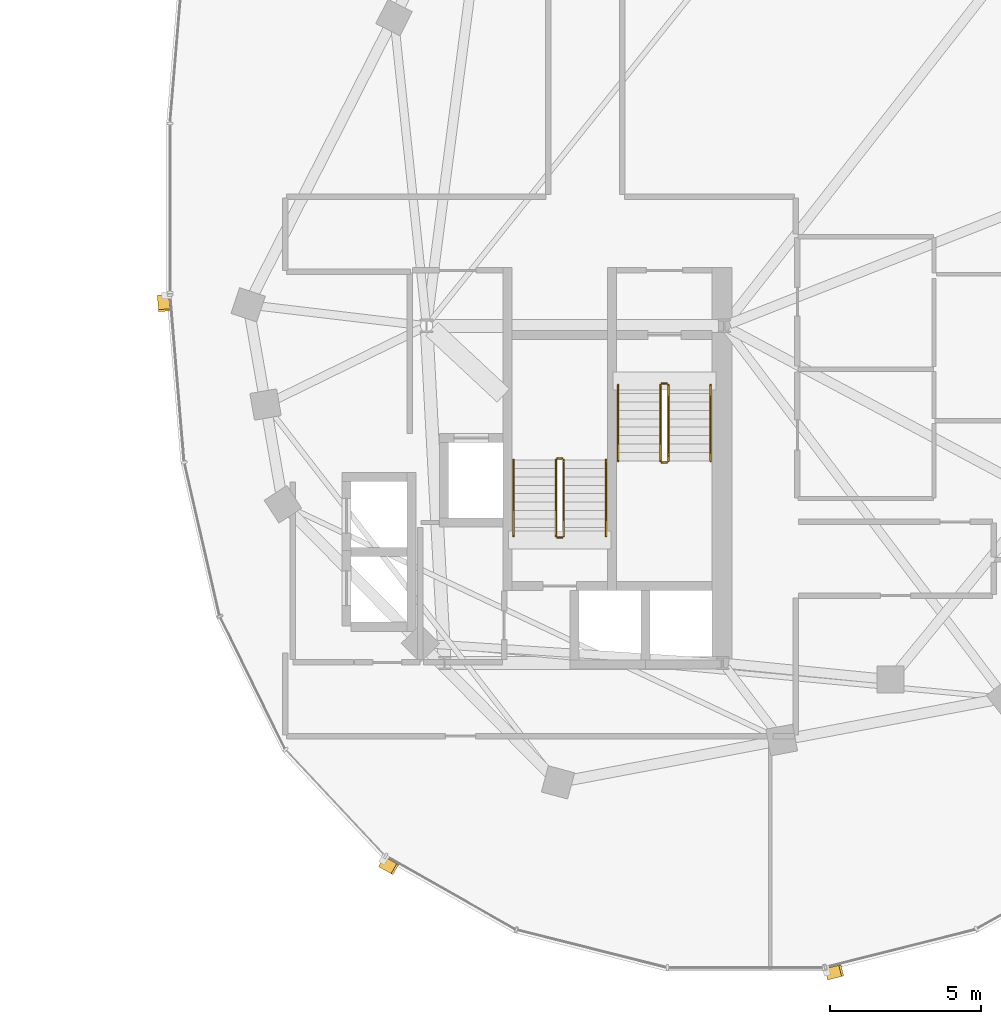
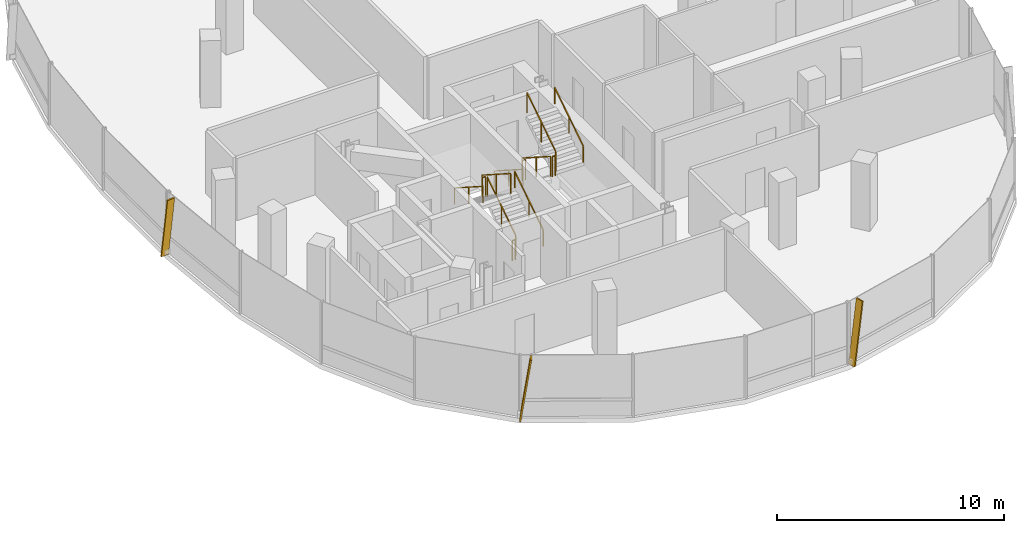
# One storey, part 24 of 25: 12 railings, 3 shading devices.
"""IFC4 building model written with IfcOpenShell, lengths in metres."""

from ifc_helpers import new_model, si_unit, direction, frame, origin, origin_2d, place, context, subcontext, project, spatial, rectangle, extrude, material, material_profile, profile_set, type_object, element, save


model = new_model("IFC4")

# Units and contexts
model_context = context("Model", 3, precision=1e-05, world=origin(), true_north=direction((0.0, 1.0)))
body_context = subcontext(model_context, "Body", "Model", "MODEL_VIEW")
ifc_project = project(units=[si_unit("LENGTHUNIT", "METRE"), si_unit("AREAUNIT", "SQUARE_METRE"), si_unit("VOLUMEUNIT", "CUBIC_METRE"), si_unit("PLANEANGLEUNIT", "RADIAN"), si_unit("MASSUNIT", "GRAM", prefix="KILO"), si_unit("THERMODYNAMICTEMPERATUREUNIT", "KELVIN"), si_unit("POWERUNIT", "WATT")], contexts=[model_context])

# Site, building, storey
site_placement = place(None, origin())
site = spatial("IfcSite", under=ifc_project, at=site_placement, CompositionType="ELEMENT")
building_placement = place(site_placement, origin())
building = spatial("IfcBuilding", under=site, at=building_placement, Name="Cundina Bronze Exchange", CompositionType="ELEMENT")
storey_placement = place(building_placement, frame((0.0, 0.0, 199.0)))
storey = spatial("IfcBuildingStorey", under=building, at=storey_placement, Name="L52", CompositionType="ELEMENT", Elevation=199.0)

# Railings
ifc_material_1 = material(Name="Steel ASTM A36 Painted", Category="steel")
railing_type_1 = type_object("IfcRailingType", Name="RLG-HND-900", PredefinedType="HANDRAIL", material=ifc_material_1)
railing_1_placement = place(storey_placement, frame((27.7900390625, -5.85009765625, 0.179931640625)))
element("IfcRailing", 1, at=railing_1_placement, inside=storey, type_object=railing_type_1, Name="L52 ST-E1 stair handrail 1", PredefinedType="HANDRAIL", context=body_context, shape_type="SweptSolid", body=[
    extrude(rectangle(XDim=0.048095703125, YDim=0.048095703125, at=origin_2d()), frame((0.0, 0.0, 0.8759765625), z_axis=(0.0, -0.841162588446, 0.540782303519), x_axis=(1.0, 0.0, 0.0)), (0.0, 0.0, 1.0), 2.995849609375),
    extrude(rectangle(XDim=0.0419921875, YDim=0.0419921875, at=origin_2d()), origin(), (0.0, 0.0, 1.0), 0.851806640625),
    extrude(rectangle(XDim=0.0419921875, YDim=0.0419921875, at=origin_2d()), frame((0.0, -1.260009765625, 0.81005859375)), (0.0, 0.0, 1.0), 0.851806640625),
    extrude(rectangle(XDim=0.0419921875, YDim=0.0419921875, at=origin_2d()), frame((0.0, -2.52001953125, 1.6201171875)), (0.0, 0.0, 1.0), 0.851806640625),
])
for number, where, name in (
    (2, (30.85009765625, -8.3701171875, 1.97998046875), "L52 ST-E1 stair handrail 2"),
    (3, (27.389892578125, -10.85009765625, 0.179931640625), "L52 ST-E2 stair handrail 1"),
):
    element("IfcRailing", number, at=place(storey_placement, frame(where)), inside=storey, type_object=railing_type_1, Name=name, PredefinedType="HANDRAIL", context=body_context, shape_type="SweptSolid", body=[
        extrude(rectangle(XDim=0.048095703125, YDim=0.048095703125, at=origin_2d()), frame((0.0, 0.0, 0.8759765625), z_axis=(0.0, 0.841162588446, 0.540782303519), x_axis=(-1.0, 0.0, 0.0)), (0.0, 0.0, 1.0), 2.995849609375),
        extrude(rectangle(XDim=0.0419921875, YDim=0.0419921875, at=origin_2d()), origin(), (0.0, 0.0, 1.0), 0.851806640625),
        extrude(rectangle(XDim=0.0419921875, YDim=0.0419921875, at=origin_2d()), frame((0.0, 1.260009765625, 0.81005859375)), (0.0, 0.0, 1.0), 0.851806640625),
        extrude(rectangle(XDim=0.0419921875, YDim=0.0419921875, at=origin_2d()), frame((0.0, 2.52001953125, 1.6201171875)), (0.0, 0.0, 1.0), 0.851806640625),
    ])
railing_2_placement = place(storey_placement, frame((24.330078125, -8.330078125, 1.97998046875)))
element("IfcRailing", 4, at=railing_2_placement, inside=storey, type_object=railing_type_1, Name="L52 ST-E2 stair handrail 2", PredefinedType="HANDRAIL", context=body_context, shape_type="SweptSolid", body=[
    extrude(rectangle(XDim=0.048095703125, YDim=0.048095703125, at=origin_2d()), frame((0.0, 0.0, 0.8759765625), z_axis=(0.0, -0.841162588446, 0.540782303519), x_axis=(1.0, 0.0, 0.0)), (0.0, 0.0, 1.0), 2.995849609375),
    extrude(rectangle(XDim=0.0419921875, YDim=0.0419921875, at=origin_2d()), origin(), (0.0, 0.0, 1.0), 0.851806640625),
    extrude(rectangle(XDim=0.0419921875, YDim=0.0419921875, at=origin_2d()), frame((0.0, -1.260009765625, 0.81005859375)), (0.0, 0.0, 1.0), 0.851806640625),
    extrude(rectangle(XDim=0.0419921875, YDim=0.0419921875, at=origin_2d()), frame((0.0, -2.52001953125, 1.6201171875)), (0.0, 0.0, 1.0), 0.851806640625),
])
railing_type_2 = type_object("IfcRailingType", Name="RLG-STG-1100", PredefinedType="GUARDRAIL", material=ifc_material_1)
railing_3_placement = place(storey_placement, frame((29.18994140625, -5.85009765625, 0.179931640625)))
element("IfcRailing", 5, at=railing_3_placement, inside=storey, type_object=railing_type_2, Name="L52 ST-E1 stair guard 1", PredefinedType="GUARDRAIL", context=body_context, shape_type="SweptSolid", body=[
    extrude(rectangle(XDim=0.048095703125, YDim=0.048095703125, at=origin_2d()), frame((0.0, 0.0, 1.076171875), z_axis=(0.0, -0.841162588446, 0.540782303519), x_axis=(1.0, 0.0, 0.0)), (0.0, 0.0, 1.0), 2.995849609375),
    extrude(rectangle(XDim=0.0419921875, YDim=0.0419921875, at=origin_2d()), origin(), (0.0, 0.0, 1.0), 1.052001953125),
    extrude(rectangle(XDim=0.0419921875, YDim=0.0419921875, at=origin_2d()), frame((0.0, -1.260009765625, 0.81005859375)), (0.0, 0.0, 1.0), 1.052001953125),
    extrude(rectangle(XDim=0.0419921875, YDim=0.0419921875, at=origin_2d()), frame((0.0, -2.52001953125, 1.6201171875)), (0.0, 0.0, 1.0), 1.052001953125),
])
railing_4_placement = place(storey_placement, frame((29.239990234375, -8.419921875, 1.800048828125)))
element("IfcRailing", 6, at=railing_4_placement, inside=storey, type_object=railing_type_2, Name="L52 ST-E1 stair guard 2", PredefinedType="GUARDRAIL", context=body_context, shape_type="SweptSolid", body=[
    extrude(rectangle(XDim=0.048095703125, YDim=0.048095703125, at=origin_2d()), frame((0.0, 0.0, 1.076171875), z_axis=(1.0, 0.0, 0.0), x_axis=(0.0, 1.0, 0.0)), (0.0, 0.0, 1.0), 0.159912109375),
    extrude(rectangle(XDim=0.0419921875, YDim=0.0419921875, at=origin_2d()), origin(), (0.0, 0.0, 1.0), 1.052001953125),
    extrude(rectangle(XDim=0.0419921875, YDim=0.0419921875, at=origin_2d()), frame((0.159912109375, 0.0, 0.0)), (0.0, 0.0, 1.0), 1.052001953125),
])
railing_5_placement = place(storey_placement, frame((29.449951171875, -8.3701171875, 1.97998046875)))
element("IfcRailing", 7, at=railing_5_placement, inside=storey, type_object=railing_type_2, Name="L52 ST-E1 stair guard 3", PredefinedType="GUARDRAIL", context=body_context, shape_type="SweptSolid", body=[
    extrude(rectangle(XDim=0.048095703125, YDim=0.048095703125, at=origin_2d()), frame((0.0, 0.0, 1.076171875), z_axis=(0.0, 0.841162588446, 0.540782303519), x_axis=(-1.0, 0.0, 0.0)), (0.0, 0.0, 1.0), 2.995849609375),
    extrude(rectangle(XDim=0.0419921875, YDim=0.0419921875, at=origin_2d()), origin(), (0.0, 0.0, 1.0), 1.052001953125),
    extrude(rectangle(XDim=0.0419921875, YDim=0.0419921875, at=origin_2d()), frame((0.0, 1.260009765625, 0.81005859375)), (0.0, 0.0, 1.0), 1.052001953125),
    extrude(rectangle(XDim=0.0419921875, YDim=0.0419921875, at=origin_2d()), frame((0.0, 2.52001953125, 1.6201171875)), (0.0, 0.0, 1.0), 1.052001953125),
])
railing_6_placement = place(storey_placement, frame((29.239990234375, -5.800048828125, 0.0)))
element("IfcRailing", 8, at=railing_6_placement, inside=storey, type_object=railing_type_2, Name="L52 ST-E1 stair guard 4", PredefinedType="GUARDRAIL", context=body_context, shape_type="SweptSolid", body=[
    extrude(rectangle(XDim=0.048095703125, YDim=0.048095703125, at=origin_2d()), frame((0.0, 0.0, 1.076171875), z_axis=(1.0, 0.0, 0.0), x_axis=(0.0, 1.0, 0.0)), (0.0, 0.0, 1.0), 0.159912109375),
    extrude(rectangle(XDim=0.0419921875, YDim=0.0419921875, at=origin_2d()), origin(), (0.0, 0.0, 1.0), 1.052001953125),
    extrude(rectangle(XDim=0.0419921875, YDim=0.0419921875, at=origin_2d()), frame((0.159912109375, 0.0, 0.0)), (0.0, 0.0, 1.0), 1.052001953125),
])
railing_7_placement = place(storey_placement, frame((25.989990234375, -10.85009765625, 0.179931640625)))
element("IfcRailing", 9, at=railing_7_placement, inside=storey, type_object=railing_type_2, Name="L52 ST-E2 stair guard 1", PredefinedType="GUARDRAIL", context=body_context, shape_type="SweptSolid", body=[
    extrude(rectangle(XDim=0.048095703125, YDim=0.048095703125, at=origin_2d()), frame((0.0, 0.0, 1.076171875), z_axis=(0.0, 0.841162588446, 0.540782303519), x_axis=(-1.0, 0.0, 0.0)), (0.0, 0.0, 1.0), 2.995849609375),
    extrude(rectangle(XDim=0.0419921875, YDim=0.0419921875, at=origin_2d()), origin(), (0.0, 0.0, 1.0), 1.052001953125),
    extrude(rectangle(XDim=0.0419921875, YDim=0.0419921875, at=origin_2d()), frame((0.0, 1.260009765625, 0.81005859375)), (0.0, 0.0, 1.0), 1.052001953125),
    extrude(rectangle(XDim=0.0419921875, YDim=0.0419921875, at=origin_2d()), frame((0.0, 2.52001953125, 1.6201171875)), (0.0, 0.0, 1.0), 1.052001953125),
])
railing_8_placement = place(storey_placement, frame((25.93994140625, -8.280029296875, 1.800048828125)))
element("IfcRailing", 10, at=railing_8_placement, inside=storey, type_object=railing_type_2, Name="L52 ST-E2 stair guard 2", PredefinedType="GUARDRAIL", context=body_context, shape_type="SweptSolid", body=[
    extrude(rectangle(XDim=0.048095703125, YDim=0.048095703125, at=origin_2d()), frame((0.0, 0.0, 1.076171875), z_axis=(-1.0, 0.0, 0.0), x_axis=(0.0, -1.0, 0.0)), (0.0, 0.0, 1.0), 0.159912109375),
    extrude(rectangle(XDim=0.0419921875, YDim=0.0419921875, at=origin_2d()), origin(), (0.0, 0.0, 1.0), 1.052001953125),
    extrude(rectangle(XDim=0.0419921875, YDim=0.0419921875, at=origin_2d()), frame((-0.159912109375, 0.0, 0.0)), (0.0, 0.0, 1.0), 1.052001953125),
])
railing_9_placement = place(storey_placement, frame((25.72998046875, -8.330078125, 1.97998046875)))
element("IfcRailing", 11, at=railing_9_placement, inside=storey, type_object=railing_type_2, Name="L52 ST-E2 stair guard 3", PredefinedType="GUARDRAIL", context=body_context, shape_type="SweptSolid", body=[
    extrude(rectangle(XDim=0.048095703125, YDim=0.048095703125, at=origin_2d()), frame((0.0, 0.0, 1.076171875), z_axis=(0.0, -0.841162588446, 0.540782303519), x_axis=(1.0, 0.0, 0.0)), (0.0, 0.0, 1.0), 2.995849609375),
    extrude(rectangle(XDim=0.0419921875, YDim=0.0419921875, at=origin_2d()), origin(), (0.0, 0.0, 1.0), 1.052001953125),
    extrude(rectangle(XDim=0.0419921875, YDim=0.0419921875, at=origin_2d()), frame((0.0, -1.260009765625, 0.81005859375)), (0.0, 0.0, 1.0), 1.052001953125),
    extrude(rectangle(XDim=0.0419921875, YDim=0.0419921875, at=origin_2d()), frame((0.0, -2.52001953125, 1.6201171875)), (0.0, 0.0, 1.0), 1.052001953125),
])
railing_10_placement = place(storey_placement, frame((25.93994140625, -10.89990234375, 0.0)))
element("IfcRailing", 12, at=railing_10_placement, inside=storey, type_object=railing_type_2, Name="L52 ST-E2 stair guard 4", PredefinedType="GUARDRAIL", context=body_context, shape_type="SweptSolid", body=[
    extrude(rectangle(XDim=0.048095703125, YDim=0.048095703125, at=origin_2d()), frame((0.0, 0.0, 1.076171875), z_axis=(-1.0, 0.0, 0.0), x_axis=(0.0, -1.0, 0.0)), (0.0, 0.0, 1.0), 0.159912109375),
    extrude(rectangle(XDim=0.0419921875, YDim=0.0419921875, at=origin_2d()), origin(), (0.0, 0.0, 1.0), 1.052001953125),
    extrude(rectangle(XDim=0.0419921875, YDim=0.0419921875, at=origin_2d()), frame((-0.159912109375, 0.0, 0.0)), (0.0, 0.0, 1.0), 1.052001953125),
])

# Shading devices
ifc_material_2 = material(Name="Anodised Bronze Aluminium 6063-T6", Category="aluminium")
ifc_material_profile = material_profile(ifc_material_2, rectangle(XDim=0.070068359375, YDim=0.3798828125, at=origin_2d()), Name="FIN70X380", Category="aluminium")
ifc_profile_set = profile_set([ifc_material_profile], Name="Anodised Bronze Aluminium 6063-T6")
shading_device_type = type_object("IfcShadingDeviceType", Name="SHD-FIN-BRZ380", PredefinedType="USERDEFINED", material=ifc_profile_set)
for number, where, z_axis, x_axis, name in (
    (13, (12.735595703125, -2.90283203125, 0.02001953125), (0.012006555776, -0.143419772964, 0.98958911238), (-0.082555834947, 0.986139516224, 0.143921466983), "L52 Diagonal Bronze Solar Fin 1"),
    (14, (19.984375, -21.635498046875, 0.02001953125), (0.125189514072, -0.071087145125, 0.989582843103), (-0.860526986551, 0.488638423358, 0.143964567292), "L52 Diagonal Bronze Solar Fin 5"),
    (15, (34.705810546875, -25.344482421875, 0.02001953125), (0.139611891367, 0.03514090606, 0.989582556693), (-0.959650042543, -0.24154799183, 0.143966536007), "L52 Diagonal Bronze Solar Fin 1"),
):
    element("IfcShadingDevice", number, at=place(storey_placement, frame(where, z_axis=z_axis, x_axis=x_axis)), inside=storey, type_object=shading_device_type, Name=name, ObjectType="FIN", PredefinedType="USERDEFINED", context=body_context, shape_type="SweptSolid", body=[
        extrude(rectangle(XDim=0.070068359375, YDim=0.3798828125, at=origin_2d()), origin(), (0.0, 0.0, 1.0), 3.334716796875),
    ])

save(model, "model.ifc")
